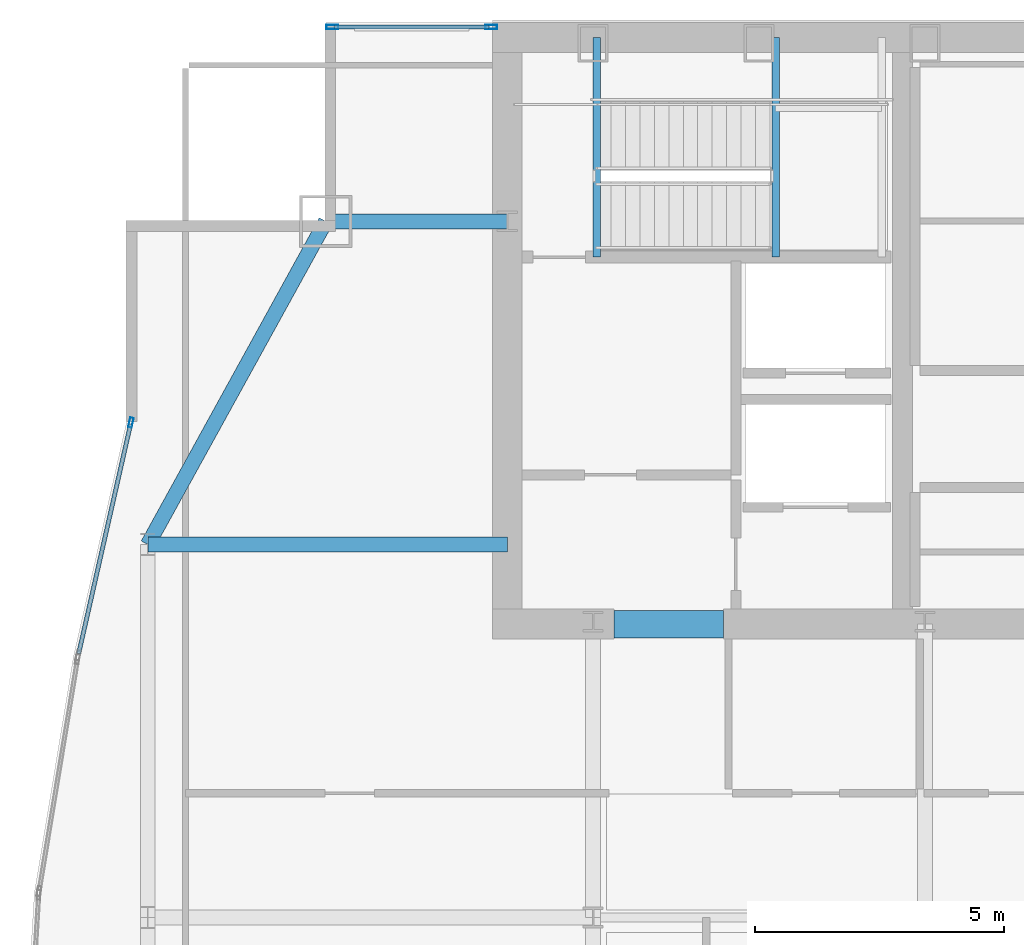
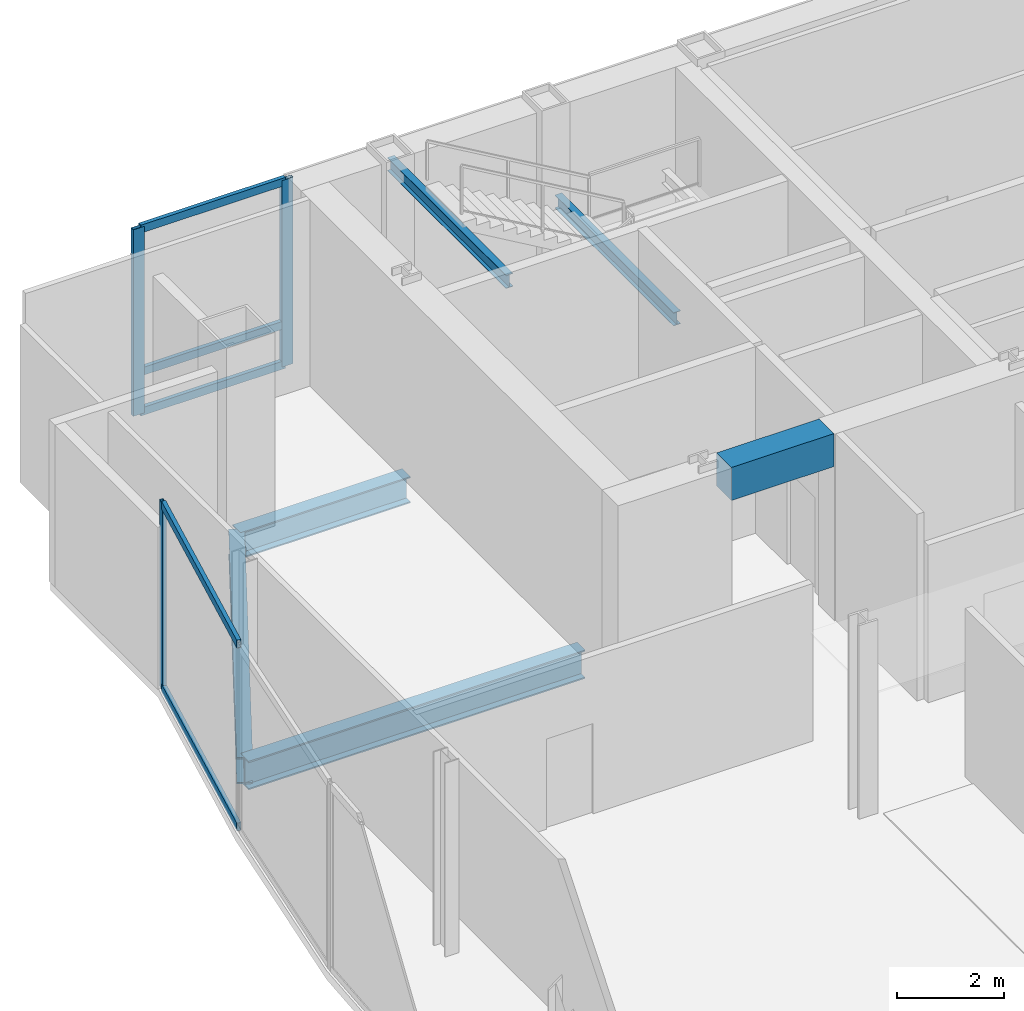
# One storey, part 20 of 28: 8 members, 6 beams, 2 elements without a shape of their own.
"""IFC4 building model written with IfcOpenShell, lengths in metres."""

from ifc_helpers import new_model, si_unit, direction, frame, origin, origin_2d, place, context, subcontext, project, spatial, rectangle, hollow_rectangle, i_section, extrude, material, material_profile, profile_set, type_object, element, aggregate, save


model = new_model("IFC4")

# Units and contexts
model_context = context("Model", 3, precision=1e-05, world=origin(), true_north=direction((0.0, 1.0)))
body_context = subcontext(model_context, "Body", "Model", "MODEL_VIEW")
ifc_project = project(units=[si_unit("LENGTHUNIT", "METRE"), si_unit("AREAUNIT", "SQUARE_METRE"), si_unit("VOLUMEUNIT", "CUBIC_METRE"), si_unit("PLANEANGLEUNIT", "RADIAN"), si_unit("MASSUNIT", "GRAM", prefix="KILO")], contexts=[model_context])

# Site, building, storey
site_placement = place(None, origin())
site = spatial("IfcSite", under=ifc_project, at=site_placement, CompositionType="ELEMENT")
building_placement = place(site_placement, origin())
building = spatial("IfcBuilding", under=site, at=building_placement, Name="Khoronbel Lancet Exchange", CompositionType="ELEMENT")
storey_placement = place(building_placement, frame((0.0, 0.0, 265.39990234375)))
storey = spatial("IfcBuildingStorey", under=building, at=storey_placement, Name="L68", CompositionType="ELEMENT", Elevation=265.39990234375)

# Beams
ifc_material_1 = material(Name="Steel S355", Category="steel")
ifc_material_profile_1 = material_profile(ifc_material_1, i_section(OverallWidth=0.300048828125, OverallDepth=0.64990234375, WebThickness=0.01611328125, FlangeThickness=0.031005859375, at=origin_2d()), Name="HEB 650")
ifc_profile_set_1 = profile_set([ifc_material_profile_1], Name="Steel S355")
beam_type_1 = type_object("IfcBeamType", Name="BM-BG4", PredefinedType="BEAM", material=ifc_profile_set_1)
beam_1_placement = place(storey_placement, frame((9.27001953125, 43.199951171875, -0.52490234375), z_axis=(1.0, 0.0, 0.0), x_axis=(0.0, 1.0, 0.0)))
element("IfcBeam", 1, at=beam_1_placement, inside=storey, type_object=beam_type_1, Name="Level L68 west lens tie girder LG3W", PredefinedType="BEAM", context=body_context, shape_type="SweptSolid", body=[
    extrude(i_section(OverallWidth=0.300048828125, OverallDepth=0.64990234375, WebThickness=0.01611328125, FlangeThickness=0.031005859375, at=origin_2d()), origin(), (0.0, 0.0, 1.0), 7.22998046875),
])
ifc_material_profile_2 = material_profile(ifc_material_1, i_section(OverallWidth=0.14990234375, OverallDepth=0.300048828125, WebThickness=0.007080078125, FlangeThickness=0.0107421875, at=origin_2d()), Name="IPE 300")
ifc_profile_set_2 = profile_set([ifc_material_profile_2], Name="Steel S355")
beam_type_2 = type_object("IfcBeamType", Name="BM-BJ8", PredefinedType="JOIST", material=ifc_profile_set_2)
for number, where, z_axis, x_axis, name in (
    (2, (21.89990234375, 48.97998046875, 1.85009765625), (0.0, 1.0, 0.0), (-1.0, 0.0, 0.0), "Level L68 stair ST1 landing bearer beam 1"),
    (3, (18.300048828125, 48.97998046875, 3.960205078125), (0.0, 1.0, 0.0), (-1.0, 0.0, 0.0), "Level L68 stair ST1 upper-flight arrival trimmer beam"),
):
    element("IfcBeam", number, at=place(storey_placement, frame(where, z_axis=z_axis, x_axis=x_axis)), inside=storey, type_object=beam_type_2, Name=name, PredefinedType="JOIST", context=body_context, shape_type="SweptSolid", body=[
        extrude(i_section(OverallWidth=0.14990234375, OverallDepth=0.300048828125, WebThickness=0.007080078125, FlangeThickness=0.0107421875, at=origin_2d()), origin(), (0.0, 0.0, 1.0), 4.419921875),
    ])
ifc_material_2 = material(Name="Concrete C60/75", Category="concrete")
ifc_material_profile_3 = material_profile(ifc_material_2, rectangle(XDim=0.550048828125, YDim=0.75, at=origin_2d()), Name="RC 550x750")
ifc_profile_set_3 = profile_set([ifc_material_profile_3], Name="Concrete C60/75")
beam_type_3 = type_object("IfcBeamType", Name="BM-BL2", PredefinedType="LINTEL", material=ifc_profile_set_3)
beam_2_placement = place(storey_placement, frame((18.64990234375, 41.60009765625, 3.864990234375), z_axis=(1.0, 0.0, 0.0), x_axis=(0.0, 1.0, 0.0)))
element("IfcBeam", 4, at=beam_2_placement, inside=storey, type_object=beam_type_3, Name="Level L68 rear core coupling lintel L1", PredefinedType="LINTEL", context=body_context, shape_type="SweptSolid", body=[
    extrude(rectangle(XDim=0.550048828125, YDim=0.75, at=origin_2d()), origin(), (0.0, 0.0, 1.0), 2.2001953125),
])
ifc_material_profile_4 = material_profile(ifc_material_1, i_section(OverallWidth=0.300048828125, OverallDepth=0.60009765625, WebThickness=0.015380859375, FlangeThickness=0.030029296875, at=origin_2d()), Name="HEB 600")
ifc_profile_set_4 = profile_set([ifc_material_profile_4], Name="Steel S355")
beam_type_4 = type_object("IfcBeamType", Name="BM-BSP2", PredefinedType="SPANDREL", material=ifc_profile_set_4)
beam_3_placement = place(storey_placement, frame((12.85009765625, 49.699951171875, -0.5), z_axis=(-0.482444051088, -0.875926787791, 0.0), x_axis=(0.875926787791, -0.482444051088, 0.0)))
element("IfcBeam", 5, at=beam_3_placement, inside=storey, type_object=beam_type_4, Name="Level L68 perimeter spandrel beam SP16", PredefinedType="SPANDREL", context=body_context, shape_type="SweptSolid", body=[
    extrude(i_section(OverallWidth=0.300048828125, OverallDepth=0.60009765625, WebThickness=0.015380859375, FlangeThickness=0.030029296875, at=origin_2d()), origin(), (0.0, 0.0, 1.0), 7.420654296875),
])
beam_4_placement = place(storey_placement, frame((12.85009765625, 49.699951171875, -0.5), z_axis=(1.0, 0.0, 0.0), x_axis=(0.0, 1.0, 0.0)))
element("IfcBeam", 6, at=beam_4_placement, inside=storey, type_object=beam_type_4, Name="Level L68 north flank tie spandrel SP22", PredefinedType="SPANDREL", context=body_context, shape_type="SweptSolid", body=[
    extrude(i_section(OverallWidth=0.300048828125, OverallDepth=0.60009765625, WebThickness=0.015380859375, FlangeThickness=0.030029296875, at=origin_2d()), origin(), (0.0, 0.0, 1.0), 3.64990234375),
])

# Curtain wall, members
ifc_material_3 = material(Name="Low-E Solar Control Insulating Glass", Category="glass")
curtain_wall_type_1 = type_object("IfcCurtainWallType", Name="CW-3", PredefinedType="NOTDEFINED", material=ifc_material_3)
curtain_wall_1_placement = place(storey_placement, origin())
curtain_wall_1 = element("IfcCurtainWall", 7, at=curtain_wall_1_placement, inside=storey, type_object=curtain_wall_type_1, Name="Unitised curtain wall CW-L68-NWFLK", PredefinedType="NOTDEFINED")
ifc_material_4 = material(Name="Bronze-Anodised Aluminium 6063-T6", Category="aluminium")
ifc_material_profile_5 = material_profile(ifc_material_4, hollow_rectangle(XDim=0.0849609375, YDim=0.239990234375, WallThickness=0.006103515625, at=origin_2d()), Name="ALU MULLION 85x240")
ifc_profile_set_5 = profile_set([ifc_material_profile_5], Name="Bronze-Anodised Aluminium 6063-T6")
member_type_1 = type_object("IfcMemberType", Name="MEM-CWM1", PredefinedType="MULLION", material=ifc_profile_set_5)
member_1_placement = place(storey_placement, frame((16.177490234375, 53.610107421875, 0.0), z_axis=(0.0, 0.0, 1.0), x_axis=(0.0, -1.0, 0.0)))
member_1 = element("IfcMember", 8, at=member_1_placement, type_object=member_type_1, Name="CW3 mullion 1", PredefinedType="MULLION", context=body_context, shape_type="SweptSolid", body=[
    extrude(hollow_rectangle(XDim=0.0849609375, YDim=0.239990234375, WallThickness=0.006103515625, at=origin_2d()), origin(), (0.0, 0.0, 1.0), 4.239990234375),
])
member_2_placement = place(storey_placement, frame((12.982421875, 53.610107421875, 0.0), z_axis=(0.0, 0.0, 1.0), x_axis=(0.0, -1.0, 0.0)))
member_2 = element("IfcMember", 9, at=member_2_placement, type_object=member_type_1, Name="CW3 mullion 2", PredefinedType="MULLION", context=body_context, shape_type="SweptSolid", body=[
    extrude(hollow_rectangle(XDim=0.0849609375, YDim=0.239990234375, WallThickness=0.006103515625, at=origin_2d()), origin(), (0.0, 0.0, 1.0), 4.239990234375),
])

curtain_wall_type_2 = type_object("IfcCurtainWallType", Name="CW-4", PredefinedType="NOTDEFINED", material=ifc_material_3)
curtain_wall_2_placement = place(storey_placement, origin())
curtain_wall_2 = element("IfcCurtainWall", 10, at=curtain_wall_2_placement, inside=storey, type_object=curtain_wall_type_2, Name="Unitised curtain wall CW-L68-E09", PredefinedType="NOTDEFINED")
ifc_material_profile_6 = material_profile(ifc_material_4, hollow_rectangle(XDim=0.074951171875, YDim=0.199951171875, WallThickness=0.0048828125, at=origin_2d()), Name="ALU MULLION 75x200")
ifc_profile_set_6 = profile_set([ifc_material_profile_6], Name="Bronze-Anodised Aluminium 6063-T6")
member_type_2 = type_object("IfcMemberType", Name="MEM-CWM2", PredefinedType="MULLION", material=ifc_profile_set_6)
member_3_placement = place(storey_placement, frame((8.931640625, 45.6533203125, 0.0), z_axis=(0.0, 0.0, 1.0), x_axis=(-0.97533545571, 0.220727770874, 0.0)))
member_3 = element("IfcMember", 11, at=member_3_placement, type_object=member_type_2, Name="CW4 mullion 2", PredefinedType="MULLION", context=body_context, shape_type="SweptSolid", body=[
    extrude(hollow_rectangle(XDim=0.074951171875, YDim=0.199951171875, WallThickness=0.0048828125, at=origin_2d()), origin(), (0.0, 0.0, 1.0), 4.239990234375),
])
ifc_material_profile_7 = material_profile(ifc_material_4, hollow_rectangle(XDim=0.0849609375, YDim=0.179931640625, WallThickness=0.0048828125, at=origin_2d()), Name="ALU TRANSOM 85x180")
ifc_profile_set_7 = profile_set([ifc_material_profile_7], Name="Bronze-Anodised Aluminium 6063-T6")
member_type_3 = type_object("IfcMemberType", Name="MEM-CWT1", PredefinedType="USERDEFINED", material=ifc_profile_set_7)
member_4_placement = place(storey_placement, frame((7.8798828125, 41.005859375, 0.04248046875), z_axis=(0.220723693805, 0.975336378381, 0.0), x_axis=(-0.975336378381, 0.220723693805, 0.0)))
member_4 = element("IfcMember", 12, at=member_4_placement, type_object=member_type_3, Name="CW4 transom 1.1", ObjectType="TRANSOM", PredefinedType="USERDEFINED", context=body_context, shape_type="SweptSolid", body=[
    extrude(hollow_rectangle(XDim=0.0849609375, YDim=0.179931640625, WallThickness=0.0048828125, at=origin_2d()), origin(), (0.0, 0.0, 1.0), 4.7275390625),
])
member_5_placement = place(storey_placement, frame((7.8798828125, 41.005859375, 4.197509765625), z_axis=(0.220723693805, 0.975336378381, 0.0), x_axis=(-0.975336378381, 0.220723693805, 0.0)))
member_5 = element("IfcMember", 13, at=member_5_placement, type_object=member_type_3, Name="CW4 transom 1.2", ObjectType="TRANSOM", PredefinedType="USERDEFINED", context=body_context, shape_type="SweptSolid", body=[
    extrude(hollow_rectangle(XDim=0.0849609375, YDim=0.179931640625, WallThickness=0.0048828125, at=origin_2d()), origin(), (0.0, 0.0, 1.0), 4.7275390625),
])
aggregate(curtain_wall_2, [member_3, member_4, member_5])

# Member
member_6_placement = place(storey_placement, frame((16.135009765625, 53.610107421875, 0.04248046875), z_axis=(-1.0, 0.0, 0.0), x_axis=(0.0, -1.0, 0.0)))
member_6 = element("IfcMember", 14, at=member_6_placement, type_object=member_type_3, Name="CW3 transom 1.1", ObjectType="TRANSOM", PredefinedType="USERDEFINED", context=body_context, shape_type="SweptSolid", body=[
    extrude(hollow_rectangle(XDim=0.0849609375, YDim=0.179931640625, WallThickness=0.0048828125, at=origin_2d()), origin(), (0.0, 0.0, 1.0), 3.110107421875),
])

member_7_placement = place(storey_placement, frame((16.135009765625, 53.610107421875, 0.9501953125), z_axis=(-1.0, 0.0, 0.0), x_axis=(0.0, -1.0, 0.0)))
member_7 = element("IfcMember", 15, at=member_7_placement, type_object=member_type_3, Name="CW3 transom 1.2", ObjectType="TRANSOM", PredefinedType="USERDEFINED", context=body_context, shape_type="SweptSolid", body=[
    extrude(hollow_rectangle(XDim=0.0849609375, YDim=0.179931640625, WallThickness=0.0048828125, at=origin_2d()), origin(), (0.0, 0.0, 1.0), 3.110107421875),
])

member_8_placement = place(storey_placement, frame((16.135009765625, 53.610107421875, 4.197509765625), z_axis=(-1.0, 0.0, 0.0), x_axis=(0.0, -1.0, 0.0)))
member_8 = element("IfcMember", 16, at=member_8_placement, type_object=member_type_3, Name="CW3 transom 1.3", ObjectType="TRANSOM", PredefinedType="USERDEFINED", context=body_context, shape_type="SweptSolid", body=[
    extrude(hollow_rectangle(XDim=0.0849609375, YDim=0.179931640625, WallThickness=0.0048828125, at=origin_2d()), origin(), (0.0, 0.0, 1.0), 3.110107421875),
])

aggregate(curtain_wall_1, [member_1, member_2, member_6, member_7, member_8])

save(model, "model.ifc")
